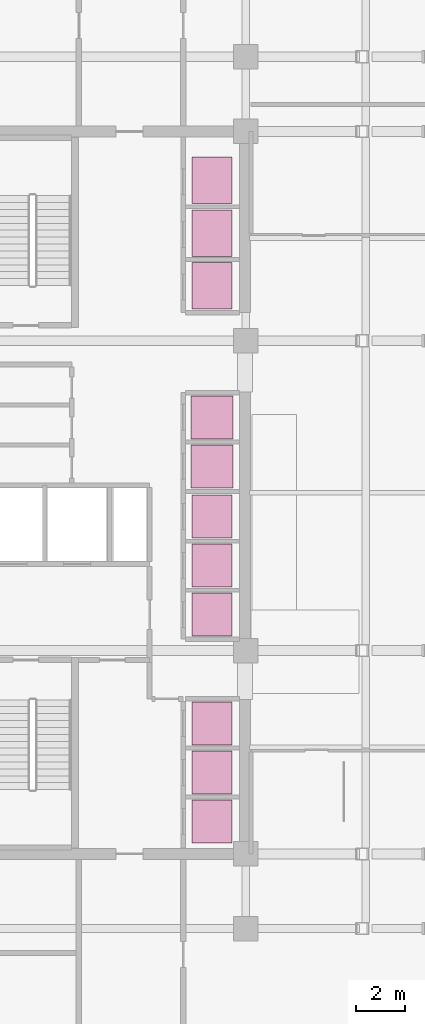
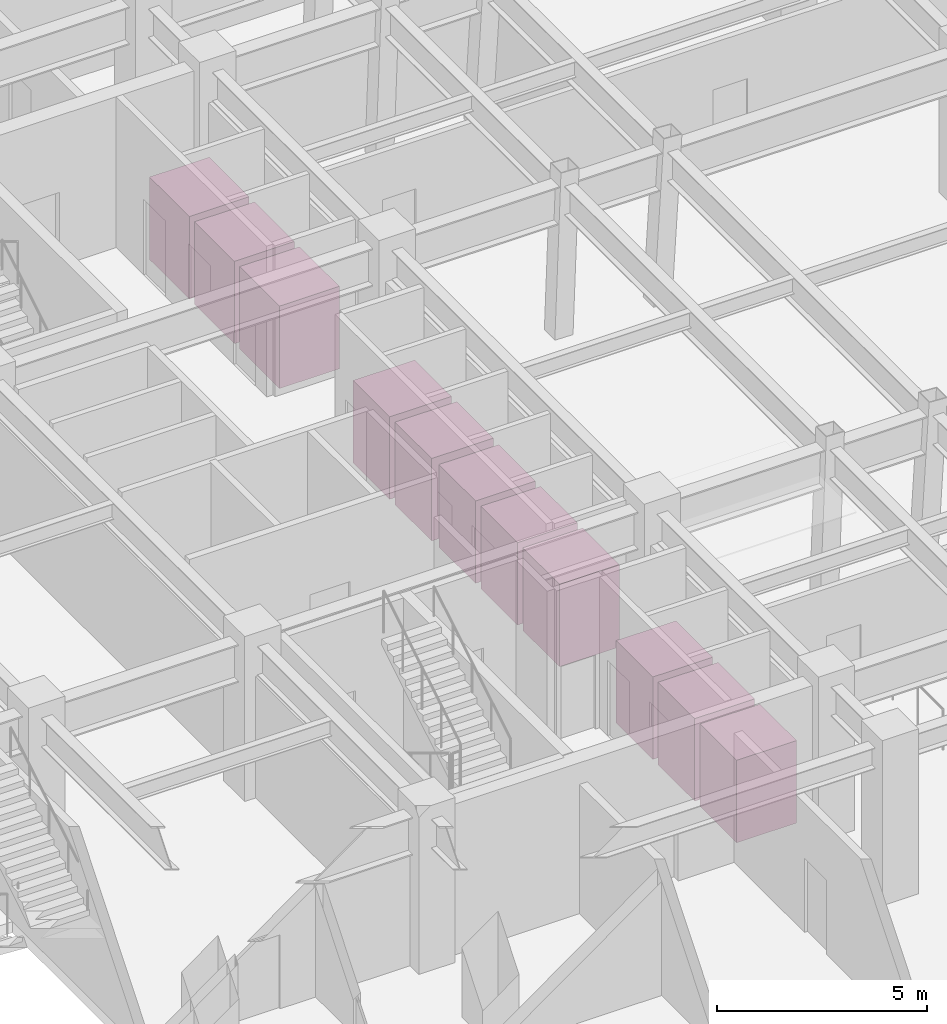
# One storey, part 13 of 13: 11 transport elements.
"""IFC4 building model written with IfcOpenShell, lengths in metres."""

from ifc_helpers import new_model, si_unit, direction, frame, origin, origin_2d, place, context, subcontext, project, spatial, rectangle, extrude, material, type_object, element, save


model = new_model("IFC4")

# Units and contexts
model_context = context("Model", 3, precision=1e-05, world=origin(), true_north=direction((0.0, 1.0)))
body_context = subcontext(model_context, "Body", "Model", "MODEL_VIEW")
ifc_project = project(units=[si_unit("LENGTHUNIT", "METRE"), si_unit("AREAUNIT", "SQUARE_METRE"), si_unit("VOLUMEUNIT", "CUBIC_METRE"), si_unit("PLANEANGLEUNIT", "RADIAN"), si_unit("MASSUNIT", "GRAM", prefix="KILO")], contexts=[model_context])

# Site, building, storey
site_placement = place(None, origin())
site = spatial("IfcSite", under=ifc_project, at=site_placement, CompositionType="ELEMENT")
building_placement = place(site_placement, origin())
building = spatial("IfcBuilding", under=site, at=building_placement, Name="Ochreholt Gables", CompositionType="ELEMENT")
storey_placement = place(building_placement, origin())
storey = spatial("IfcBuildingStorey", under=building, at=storey_placement, Name="L00", CompositionType="ELEMENT", Elevation=0.0)

# Transport elements
ifc_material_1 = material(Name="Anodized Bronze Observation Express Car", Category="aluminium")
transport_element_type_1 = type_object("IfcTransportElementType", Name="LFT-EX-1600", PredefinedType="ELEVATOR", material=ifc_material_1)
for number, where, z_axis, x_axis, name in (
    (1, (33.824951171875, 25.074951171875, 0.0), (0.0, 0.0, 1.0), (1.0, 0.0, 0.0), "Elevator Car LF-EX1"),
    (2, (33.824951171875, 27.074951171875, 0.0), (0.0, 0.0, 1.0), (1.0, 0.0, 0.0), "Elevator Car LF-EX2"),
):
    element("IfcTransportElement", number, at=place(storey_placement, frame(where, z_axis=z_axis, x_axis=x_axis)), inside=storey, type_object=transport_element_type_1, Name=name, PredefinedType="ELEVATOR", context=body_context, shape_type="SweptSolid", body=[
        extrude(rectangle(XDim=1.699951171875, YDim=1.75, at=origin_2d()), origin(), (0.0, 0.0, 1.0), 2.39990234375),
    ])
ifc_material_2 = material(Name="Stainless Steel Passenger Elevator Car", Category="steel")
transport_element_type_2 = type_object("IfcTransportElementType", Name="LFT-PX-1360", PredefinedType="ELEVATOR", material=ifc_material_2)
for number, where, z_axis, x_axis, name in (
    (3, (33.824951171875, 10.574951171875, 0.0), (0.0, 0.0, 1.0), (1.0, 0.0, 0.0), "Elevator Car LF-L1"),
    (4, (33.824951171875, 12.574951171875, 0.0), (0.0, 0.0, 1.0), (1.0, 0.0, 0.0), "Elevator Car LF-L2"),
    (5, (33.824951171875, 14.574951171875, 0.0), (0.0, 0.0, 1.0), (1.0, 0.0, 0.0), "Elevator Car LF-L3"),
    (6, (33.824951171875, 19.02490234375, 0.0), (0.0, 0.0, 1.0), (1.0, 0.0, 0.0), "Elevator Car LF-H1"),
    (7, (33.824951171875, 21.02490234375, 0.0), (0.0, 0.0, 1.0), (1.0, 0.0, 0.0), "Elevator Car LF-H2"),
    (8, (33.824951171875, 23.02490234375, 0.0), (0.0, 0.0, 1.0), (1.0, 0.0, 0.0), "Elevator Car LF-H3"),
):
    element("IfcTransportElement", number, at=place(storey_placement, frame(where, z_axis=z_axis, x_axis=x_axis)), inside=storey, type_object=transport_element_type_2, Name=name, PredefinedType="ELEVATOR", context=body_context, shape_type="SweptSolid", body=[
        extrude(rectangle(XDim=1.64990234375, YDim=1.75, at=origin_2d()), origin(), (0.0, 0.0, 1.0), 2.39990234375),
    ])
for number, where, z_axis, x_axis, name in (
    (9, (33.824951171875, 32.449951171875, 0.0), (0.0, 0.0, 1.0), (1.0, 0.0, 0.0), "Elevator Car LF-M1"),
    (10, (33.824951171875, 34.60009765625, 0.0), (0.0, 0.0, 1.0), (1.0, 0.0, 0.0), "Elevator Car LF-M2"),
    (11, (33.824951171875, 36.75, 0.0), (0.0, 0.0, 1.0), (1.0, 0.0, 0.0), "Elevator Car LF-M3"),
):
    element("IfcTransportElement", number, at=place(storey_placement, frame(where, z_axis=z_axis, x_axis=x_axis)), inside=storey, type_object=transport_element_type_2, Name=name, PredefinedType="ELEVATOR", context=body_context, shape_type="SweptSolid", body=[
        extrude(rectangle(XDim=1.64990234375, YDim=1.89990234375, at=origin_2d()), origin(), (0.0, 0.0, 1.0), 2.39990234375),
    ])

save(model, "model.ifc")
